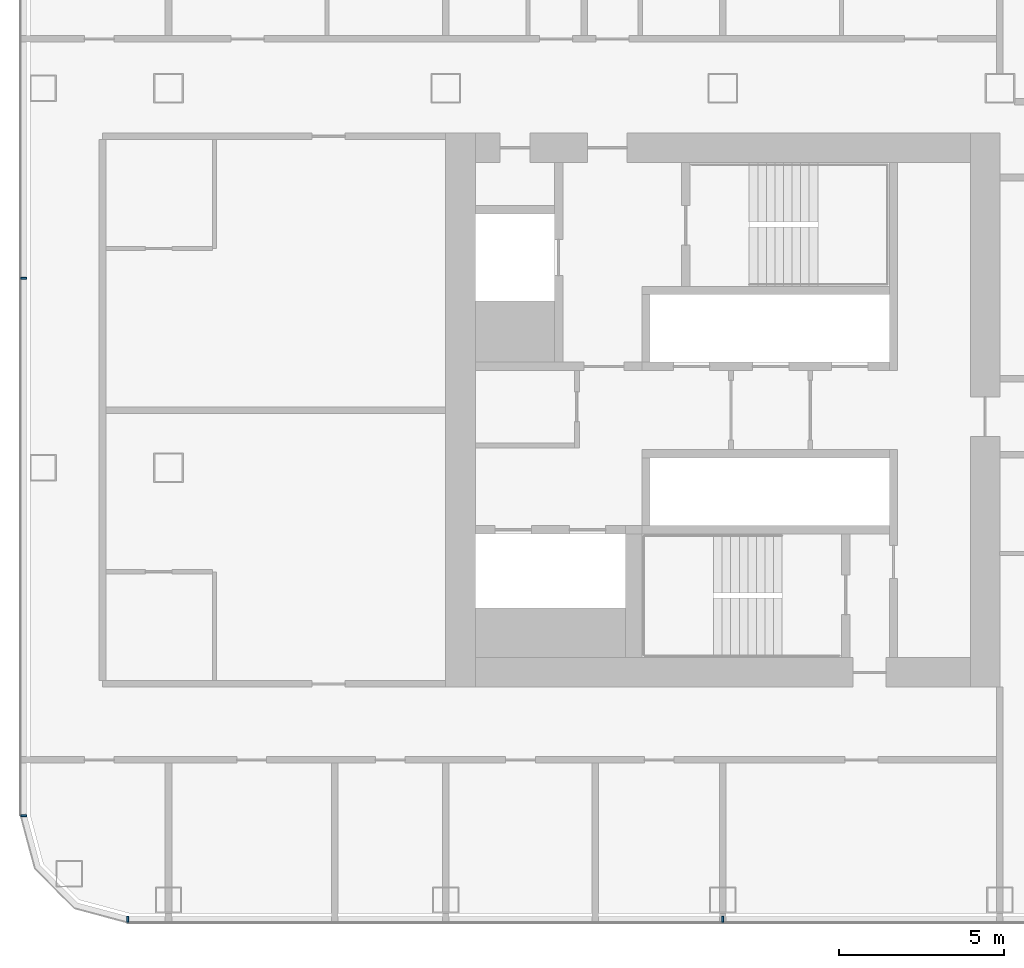
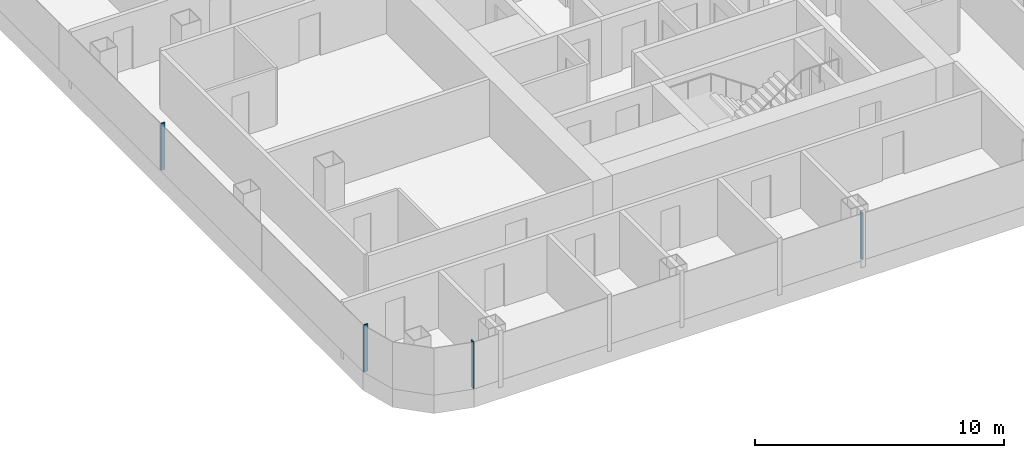
# One storey, part 2 of 29: 4 members, 2 elements without a shape of their own.
"""IFC4 building model written with IfcOpenShell, lengths in metres."""

from ifc_helpers import new_model, si_unit, direction, frame, origin, origin_2d, place, context, subcontext, project, spatial, rectangle, extrude, material, layer, layer_set, material_profile, profile_set, type_object, element, aggregate, save


model = new_model("IFC4")

# Units and contexts
model_context = context("Model", 3, precision=1e-05, world=origin(), true_north=direction((0.0, 1.0)))
body_context = subcontext(model_context, "Body", "Model", "MODEL_VIEW")
ifc_project = project(units=[si_unit("LENGTHUNIT", "METRE"), si_unit("AREAUNIT", "SQUARE_METRE"), si_unit("VOLUMEUNIT", "CUBIC_METRE"), si_unit("PLANEANGLEUNIT", "RADIAN"), si_unit("MASSUNIT", "GRAM", prefix="KILO")], contexts=[model_context])

# Site, building, storey
site_placement = place(None, origin())
site = spatial("IfcSite", under=ifc_project, at=site_placement, CompositionType="ELEMENT")
building_placement = place(site_placement, origin())
building = spatial("IfcBuilding", under=site, at=building_placement, Name="Hakoniwa Tower and Hamabe Station Hall", CompositionType="ELEMENT")
storey_placement = place(building_placement, frame((0.0, 0.0, 78.60009765625)))
storey = spatial("IfcBuildingStorey", under=building, at=storey_placement, Name="L21", CompositionType="ELEMENT", Elevation=78.60009765625)

# Curtain wall, members
ifc_material_1 = material(Name="Dark low-e laminated glass", Category="glass")
ifc_layer = layer(ifc_material_1, 0.199951171875)
ifc_layer_set = layer_set([ifc_layer], Name="CW-1 UNITISED GUEST")
curtain_wall_type = type_object("IfcCurtainWallType", Name="CW-1 UNITISED GUEST", PredefinedType="NOTDEFINED", material=ifc_layer_set)
curtain_wall_1_placement = place(storey_placement, origin())
curtain_wall_1 = element("IfcCurtainWall", 1, at=curtain_wall_1_placement, inside=storey, type_object=curtain_wall_type, Name="CW-1 curtain wall", PredefinedType="NOTDEFINED")
ifc_material_2 = material(Name="Aluminium 6063-T5 black anodised", Category="aluminium")
ifc_material_profile = material_profile(ifc_material_2, rectangle(XDim=0.06005859375, YDim=0.179931640625, at=origin_2d()), Name="CW-1 MULLION 60X180")
ifc_profile_set = profile_set([ifc_material_profile], Name="Aluminium 6063-T5 black anodised")
member_type = type_object("IfcMemberType", Name="CW-1 MULLION 60X180", PredefinedType="MULLION", material=ifc_profile_set)
member_1_placement = place(storey_placement, frame((-46.382080078125, 4.0, 0.349853515625), z_axis=(0.0, 0.0, 1.0), x_axis=(0.0, -1.0, 0.0)))
member_1 = element("IfcMember", 2, at=member_1_placement, type_object=member_type, Name="CW-1 mullion", PredefinedType="MULLION", context=body_context, shape_type="SweptSolid", body=[
    extrude(rectangle(XDim=0.06005859375, YDim=0.179931640625, at=origin_2d()), origin(), (0.0, 0.0, 1.0), 2.300048828125),
])
member_2_placement = place(storey_placement, frame((-46.382080078125, -12.28955078125, 0.349853515625), z_axis=(0.0, 0.0, 1.0), x_axis=(0.0, -1.0, 0.0)))
member_2 = element("IfcMember", 3, at=member_2_placement, type_object=member_type, Name="CW-1 mullion", PredefinedType="MULLION", context=body_context, shape_type="SweptSolid", body=[
    extrude(rectangle(XDim=0.06005859375, YDim=0.179931640625, at=origin_2d()), origin(), (0.0, 0.0, 1.0), 2.300048828125),
])
aggregate(curtain_wall_1, [member_1, member_2])

curtain_wall_2_placement = place(storey_placement, origin())
curtain_wall_2 = element("IfcCurtainWall", 4, at=curtain_wall_2_placement, inside=storey, type_object=curtain_wall_type, Name="CW-1 curtain wall", PredefinedType="NOTDEFINED")
member_3_placement = place(storey_placement, frame((-43.239501953125, -15.431884765625, 0.349853515625), z_axis=(0.0, 0.0, 1.0), x_axis=(1.0, 0.0, 0.0)))
member_3 = element("IfcMember", 5, at=member_3_placement, type_object=member_type, Name="CW-1 mullion", PredefinedType="MULLION", context=body_context, shape_type="SweptSolid", body=[
    extrude(rectangle(XDim=0.06005859375, YDim=0.179931640625, at=origin_2d()), origin(), (0.0, 0.0, 1.0), 2.300048828125),
])
member_4_placement = place(storey_placement, frame((-25.199951171875, -15.431884765625, 0.349853515625), z_axis=(0.0, 0.0, 1.0), x_axis=(1.0, 0.0, 0.0)))
member_4 = element("IfcMember", 6, at=member_4_placement, type_object=member_type, Name="CW-1 mullion", PredefinedType="MULLION", context=body_context, shape_type="SweptSolid", body=[
    extrude(rectangle(XDim=0.06005859375, YDim=0.179931640625, at=origin_2d()), origin(), (0.0, 0.0, 1.0), 2.300048828125),
])
aggregate(curtain_wall_2, [member_3, member_4])

save(model, "model.ifc")
